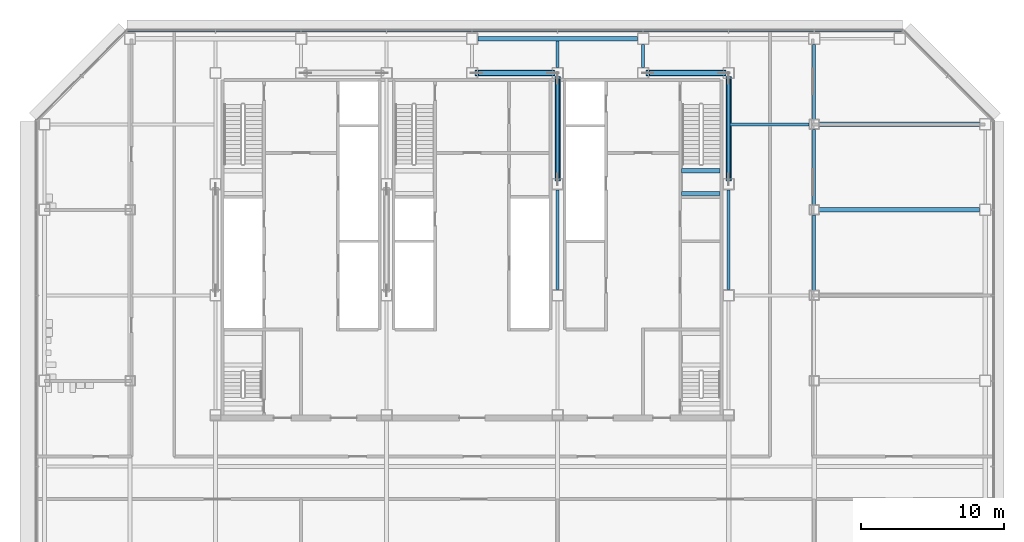
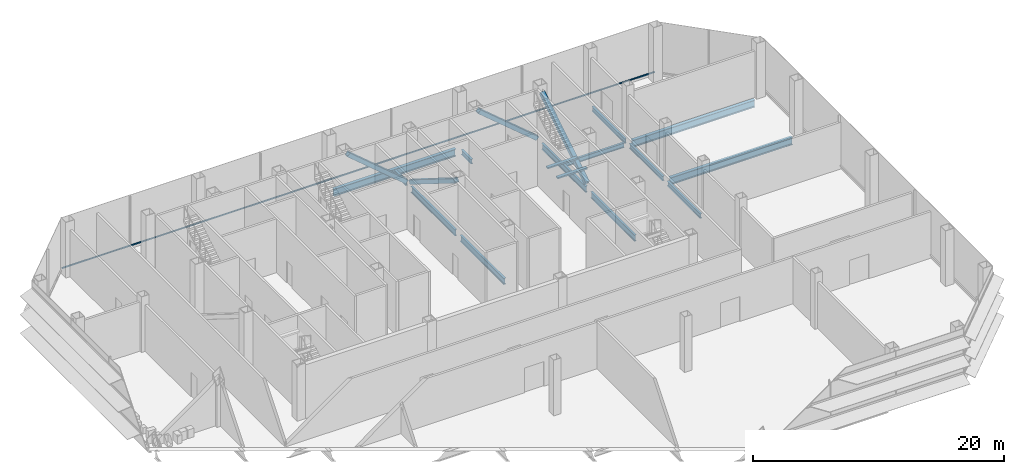
# One storey, part 10 of 23: 15 beams, 5 members, 1 element without a shape of its own.
"""IFC4 building model written with IfcOpenShell, lengths in metres."""

from ifc_helpers import new_model, si_unit, direction, frame, origin, origin_2d, place, context, subcontext, project, spatial, rectangle, hollow_rectangle, i_section, extrude, material, material_profile, profile_set, type_object, element, aggregate, save


model = new_model("IFC4")

# Units and contexts
model_context = context("Model", 3, precision=1e-05, world=origin(), true_north=direction((0.0, 1.0)))
body_context = subcontext(model_context, "Body", "Model", "MODEL_VIEW")
ifc_project = project(units=[si_unit("LENGTHUNIT", "METRE"), si_unit("AREAUNIT", "SQUARE_METRE"), si_unit("VOLUMEUNIT", "CUBIC_METRE"), si_unit("PLANEANGLEUNIT", "RADIAN"), si_unit("MASSUNIT", "GRAM", prefix="KILO")], contexts=[model_context])

# Site, building, storey
site_placement = place(None, origin())
site = spatial("IfcSite", under=ifc_project, at=site_placement, CompositionType="ELEMENT")
building_placement = place(site_placement, origin())
building = spatial("IfcBuilding", under=site, at=building_placement, Name="Sorahane Residences", CompositionType="ELEMENT")
storey_placement = place(building_placement, frame((0.0, 0.0, 114.199951171875)))
storey = spatial("IfcBuildingStorey", under=building, at=storey_placement, Name="L25", CompositionType="ELEMENT", Elevation=114.199951171875)

# Members
ifc_material_1 = material(Name="Steel Q355B", Category="steel")
ifc_material_profile_1 = material_profile(ifc_material_1, hollow_rectangle(XDim=0.39990234375, YDim=0.39990234375, WallThickness=0.02001953125, InnerFilletRadius=0.010009765625, OuterFilletRadius=0.030029296875, at=origin_2d()), Name="RHS 400x400x20")
ifc_profile_set_1 = profile_set([ifc_material_profile_1], Name="Steel Q355B")
member_type_1 = type_object("IfcMemberType", Name="Core brace RHS 400x400x20 Q355B", PredefinedType="BRACE", material=ifc_profile_set_1)
for number, where, z_axis, x_axis, name in (
    (1, (29.67724609375, 45.60009765625, 0.13525390625), (-0.76556525425, 0.0, 0.643358252831), (0.0, -1.0, 0.0), "Core brace L25 y45.6-4"),
    (2, (41.67724609375, 45.60009765625, 0.13525390625), (-0.76556525425, 0.0, 0.643358252831), (0.0, -1.0, 0.0), "Core brace L25 y45.6-6"),
):
    element("IfcMember", number, at=place(storey_placement, frame(where, z_axis=z_axis, x_axis=x_axis)), inside=storey, type_object=member_type_1, Name=name, PredefinedType="BRACE", context=body_context, shape_type="SweptSolid", body=[
        extrude(hollow_rectangle(XDim=0.39990234375, YDim=0.39990234375, WallThickness=0.02001953125, InnerFilletRadius=0.010009765625, OuterFilletRadius=0.030029296875, at=origin_2d()), origin(), (0.0, 0.0, 1.0), 6.994140625),
    ])
for number, where, z_axis, x_axis, name in (
    (3, (42.0, 38.136474609375, 0.160400390625), (0.0, 0.848272449407, 0.529560054741), (-1.0, 0.0, 0.0), "Core brace L25 x42-3"),
    (4, (30.0, 45.263427734375, 0.160400390625), (0.0, -0.848272449407, 0.529560054741), (1.0, 0.0, 0.0), "Core brace L25 x30-2"),
):
    element("IfcMember", number, at=place(storey_placement, frame(where, z_axis=z_axis, x_axis=x_axis)), inside=storey, type_object=member_type_1, Name=name, PredefinedType="BRACE", context=body_context, shape_type="SweptSolid", body=[
        extrude(hollow_rectangle(XDim=0.39990234375, YDim=0.39990234375, WallThickness=0.02001953125, InnerFilletRadius=0.010009765625, OuterFilletRadius=0.030029296875, at=origin_2d()), origin(), (0.0, 0.0, 1.0), 8.401611328125),
    ])

# Curtain wall, member
ifc_material_2 = material(Name="Dark low-e glass and black anodised aluminium", Category="aluminium")
curtain_wall_type = type_object("IfcCurtainWallType", Name="Curtain wall CW-4 Sky floor frameless wall", PredefinedType="NOTDEFINED", material=ifc_material_2)
curtain_wall_placement = place(storey_placement, origin())
curtain_wall = element("IfcCurtainWall", 5, at=curtain_wall_placement, inside=storey, type_object=curtain_wall_type, Name="CW-4 curtain wall L25 N1", PredefinedType="NOTDEFINED")
ifc_material_3 = material(Name="Black anodised aluminium", Category="aluminium")
ifc_material_profile_2 = material_profile(ifc_material_3, rectangle(XDim=0.10009765625, YDim=0.06005859375, at=origin_2d()), Name="Curtain wall transom CW-4 black anodised aluminium 60x100")
ifc_profile_set_2 = profile_set([ifc_material_profile_2], Name="Black anodised aluminium")
member_type_2 = type_object("IfcMemberType", Name="Curtain wall transom CW-4 black anodised aluminium 60x100", PredefinedType="USERDEFINED", material=ifc_profile_set_2)
member_placement = place(storey_placement, frame((54.198486328125, 48.530029296875, 0.35009765625), z_axis=(-1.0, 0.0, 0.0), x_axis=(0.0, -1.0, 0.0)))
member = element("IfcMember", 6, at=member_placement, type_object=member_type_2, Name="CW-4 transom L25 N1", ObjectType="TRANSOM", PredefinedType="USERDEFINED", context=body_context, shape_type="SweptSolid", body=[
    extrude(rectangle(XDim=0.10009765625, YDim=0.06005859375, at=origin_2d()), origin(), (0.0, 0.0, 1.0), 54.39697265625),
])
aggregate(curtain_wall, [member])

# Beams
ifc_material_4 = material(Name="Concrete C40", Category="concrete")
ifc_material_profile_3 = material_profile(ifc_material_4, rectangle(XDim=0.300048828125, YDim=0.139892578125, at=origin_2d()), Name="300x140")
ifc_profile_set_3 = profile_set([ifc_material_profile_3], Name="Concrete C40")
beam_type_1 = type_object("IfcBeamType", Name="RC landing beam 300 x 140 Concrete C40", PredefinedType="BEAM", material=ifc_profile_set_3)
for number, where, z_axis, x_axis, name in (
    (7, (38.699951171875, 37.14990234375, 2.429931640625), (1.0, 0.0, 0.0), (0.0, 1.0, 0.0), "Landing beam"),
    (8, (38.699951171875, 38.75, 2.429931640625), (1.0, 0.0, 0.0), (0.0, 1.0, 0.0), "Landing beam"),
):
    element("IfcBeam", number, at=place(storey_placement, frame(where, z_axis=z_axis, x_axis=x_axis)), inside=storey, type_object=beam_type_1, Name=name, PredefinedType="BEAM", context=body_context, shape_type="SweptSolid", body=[
        extrude(rectangle(XDim=0.300048828125, YDim=0.139892578125, at=origin_2d()), origin(), (0.0, 0.0, 1.0), 2.699951171875),
    ])
ifc_material_5 = material(Name="Steel Q355B", Category="steel")
ifc_material_profile_4 = material_profile(ifc_material_5, i_section(OverallWidth=0.199951171875, OverallDepth=0.449951171875, WebThickness=0.009033203125, FlangeThickness=0.013916015625, FilletRadius=0.02001953125, at=origin_2d()), Name="HN 450x200x9x14")
ifc_profile_set_4 = profile_set([ifc_material_profile_4], Name="Steel Q355B")
beam_type_2 = type_object("IfcBeamType", Name="Steel floor beam HN 450x200x9x14 Q355B", PredefinedType="BEAM", material=ifc_profile_set_4)
beam_1_placement = place(storey_placement, frame((30.0, 46.0, -0.445068359375), z_axis=(0.0, 1.0, 0.0), x_axis=(-1.0, 0.0, 0.0)))
element("IfcBeam", 9, at=beam_1_placement, inside=storey, type_object=beam_type_2, Name="Beam L25 049", PredefinedType="BEAM", context=body_context, shape_type="SweptSolid", body=[
    extrude(i_section(OverallWidth=0.199951171875, OverallDepth=0.449951171875, WebThickness=0.009033203125, FlangeThickness=0.013916015625, FilletRadius=0.02001953125, at=origin_2d()), origin(), (0.0, 0.0, 1.0), 1.85009765625),
])
beam_2_placement = place(storey_placement, frame((36.0, 46.0, -0.445068359375), z_axis=(0.0, 1.0, 0.0), x_axis=(-1.0, 0.0, 0.0)))
element("IfcBeam", 10, at=beam_2_placement, inside=storey, type_object=beam_type_2, Name="Beam L25 051", PredefinedType="BEAM", context=body_context, shape_type="SweptSolid", body=[
    extrude(i_section(OverallWidth=0.199951171875, OverallDepth=0.449951171875, WebThickness=0.009033203125, FlangeThickness=0.013916015625, FilletRadius=0.02001953125, at=origin_2d()), origin(), (0.0, 0.0, 1.0), 1.60009765625),
])
for number, where, z_axis, x_axis, name in (
    (11, (48.0, 30.35009765625, -0.445068359375), (0.0, 1.0, 0.0), (-1.0, 0.0, 0.0), "Beam L25 061"),
    (12, (48.0, 36.35009765625, -0.445068359375), (0.0, 1.0, 0.0), (-1.0, 0.0, 0.0), "Beam L25 062"),
):
    element("IfcBeam", number, at=place(storey_placement, frame(where, z_axis=z_axis, x_axis=x_axis)), inside=storey, type_object=beam_type_2, Name=name, PredefinedType="BEAM", context=body_context, shape_type="SweptSolid", body=[
        extrude(i_section(OverallWidth=0.199951171875, OverallDepth=0.449951171875, WebThickness=0.009033203125, FlangeThickness=0.013916015625, FilletRadius=0.02001953125, at=origin_2d()), origin(), (0.0, 0.0, 1.0), 5.2998046875),
    ])
beam_3_placement = place(storey_placement, frame((48.0, 42.35009765625, -0.445068359375), z_axis=(0.0, 1.0, 0.0), x_axis=(-1.0, 0.0, 0.0)))
element("IfcBeam", 13, at=beam_3_placement, inside=storey, type_object=beam_type_2, Name="Beam L25 063", PredefinedType="BEAM", context=body_context, shape_type="SweptSolid", body=[
    extrude(i_section(OverallWidth=0.199951171875, OverallDepth=0.449951171875, WebThickness=0.009033203125, FlangeThickness=0.013916015625, FilletRadius=0.02001953125, at=origin_2d()), origin(), (0.0, 0.0, 1.0), 5.25),
])
beam_4_placement = place(storey_placement, frame((42.10009765625, 42.0, -0.445068359375), z_axis=(1.0, 0.0, 0.0), x_axis=(0.0, 1.0, 0.0)))
element("IfcBeam", 14, at=beam_4_placement, inside=storey, type_object=beam_type_2, Name="Beam L25 091", PredefinedType="BEAM", context=body_context, shape_type="SweptSolid", body=[
    extrude(i_section(OverallWidth=0.199951171875, OverallDepth=0.449951171875, WebThickness=0.009033203125, FlangeThickness=0.013916015625, FilletRadius=0.02001953125, at=origin_2d()), origin(), (0.0, 0.0, 1.0), 5.5498046875),
])
ifc_material_6 = material(Name="Steel Q355B", Category="steel")
ifc_material_profile_5 = material_profile(ifc_material_6, i_section(OverallWidth=0.199951171875, OverallDepth=0.60009765625, WebThickness=0.010986328125, FlangeThickness=0.01708984375, FilletRadius=0.02392578125, at=origin_2d()), Name="HN 600x200x11x17")
ifc_profile_set_5 = profile_set([ifc_material_profile_5], Name="Steel Q355B")
beam_type_3 = type_object("IfcBeamType", Name="Steel floor beam HN 600x200x11x17 Q355B", PredefinedType="BEAM", material=ifc_profile_set_5)
for number, where, z_axis, x_axis, name in (
    (15, (30.0, 30.39990234375, -0.52001953125), (0.0, 1.0, 0.0), (-1.0, 0.0, 0.0), "Beam L25 047"),
    (16, (30.0, 38.199951171875, -0.52001953125), (0.0, 1.0, 0.0), (-1.0, 0.0, 0.0), "Beam L25 048"),
    (17, (42.0, 30.39990234375, -0.52001953125), (0.0, 1.0, 0.0), (-1.0, 0.0, 0.0), "Beam L25 055"),
    (18, (42.0, 38.199951171875, -0.52001953125), (0.0, 1.0, 0.0), (-1.0, 0.0, 0.0), "Beam L25 056"),
):
    element("IfcBeam", number, at=place(storey_placement, frame(where, z_axis=z_axis, x_axis=x_axis)), inside=storey, type_object=beam_type_3, Name=name, PredefinedType="BEAM", context=body_context, shape_type="SweptSolid", body=[
        extrude(i_section(OverallWidth=0.199951171875, OverallDepth=0.60009765625, WebThickness=0.010986328125, FlangeThickness=0.01708984375, FilletRadius=0.02392578125, at=origin_2d()), origin(), (0.0, 0.0, 1.0), 7.0),
    ])
ifc_material_7 = material(Name="Steel Q355B", Category="steel")
ifc_material_profile_6 = material_profile(ifc_material_7, i_section(OverallWidth=0.300048828125, OverallDepth=0.699951171875, WebThickness=0.012939453125, FlangeThickness=0.02392578125, FilletRadius=0.028076171875, at=origin_2d()), Name="HN 700x300x13x24")
ifc_profile_set_6 = profile_set([ifc_material_profile_6], Name="Steel Q355B")
beam_type_4 = type_object("IfcBeamType", Name="Steel floor beam HN 700x300x13x24 Q355B", PredefinedType="BEAM", material=ifc_profile_set_6)
beam_5_placement = place(storey_placement, frame((48.35009765625, 36.0, -0.570068359375), z_axis=(1.0, 0.0, 0.0), x_axis=(0.0, 1.0, 0.0)))
element("IfcBeam", 19, at=beam_5_placement, inside=storey, type_object=beam_type_4, Name="Beam L25 014", PredefinedType="BEAM", context=body_context, shape_type="SweptSolid", body=[
    extrude(i_section(OverallWidth=0.300048828125, OverallDepth=0.699951171875, WebThickness=0.012939453125, FlangeThickness=0.02392578125, FilletRadius=0.028076171875, at=origin_2d()), origin(), (0.0, 0.0, 1.0), 11.25),
])
beam_6_placement = place(storey_placement, frame((24.39990234375, 48.0, -0.570068359375), z_axis=(1.0, 0.0, 0.0), x_axis=(0.0, 1.0, 0.0)))
element("IfcBeam", 20, at=beam_6_placement, inside=storey, type_object=beam_type_4, Name="Beam L25 017", PredefinedType="BEAM", context=body_context, shape_type="SweptSolid", body=[
    extrude(i_section(OverallWidth=0.300048828125, OverallDepth=0.699951171875, WebThickness=0.012939453125, FlangeThickness=0.02392578125, FilletRadius=0.028076171875, at=origin_2d()), origin(), (0.0, 0.0, 1.0), 11.2001953125),
])
beam_7_placement = place(storey_placement, frame((48.35009765625, 42.0, -0.570068359375), z_axis=(1.0, 0.0, 0.0), x_axis=(0.0, 1.0, 0.0)))
element("IfcBeam", 21, at=beam_7_placement, inside=storey, type_object=beam_type_4, Name="Beam L25 092", PredefinedType="BEAM", context=body_context, shape_type="SweptSolid", body=[
    extrude(i_section(OverallWidth=0.300048828125, OverallDepth=0.699951171875, WebThickness=0.012939453125, FlangeThickness=0.02392578125, FilletRadius=0.028076171875, at=origin_2d()), origin(), (0.0, 0.0, 1.0), 11.25),
])

save(model, "model.ifc")
